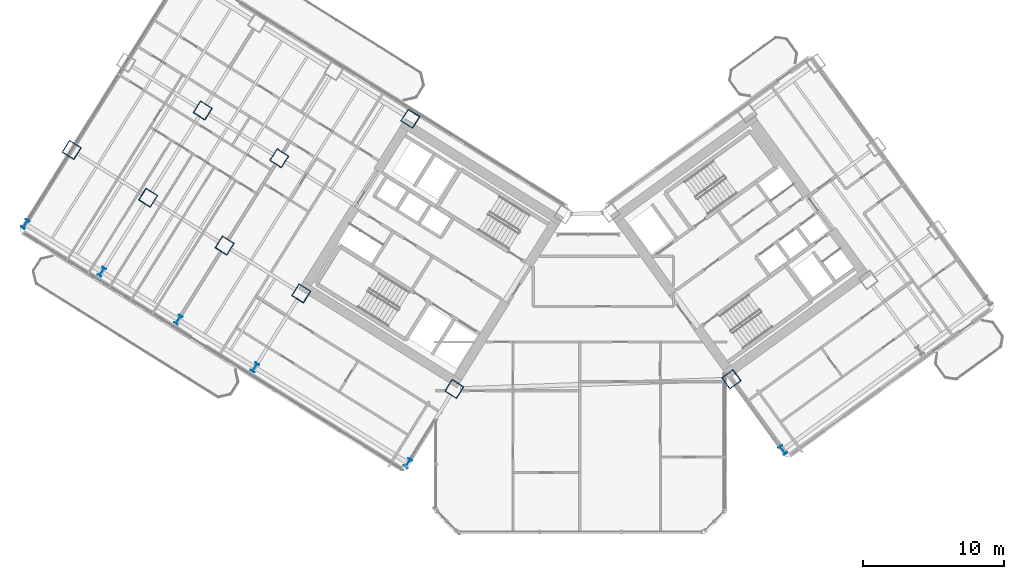
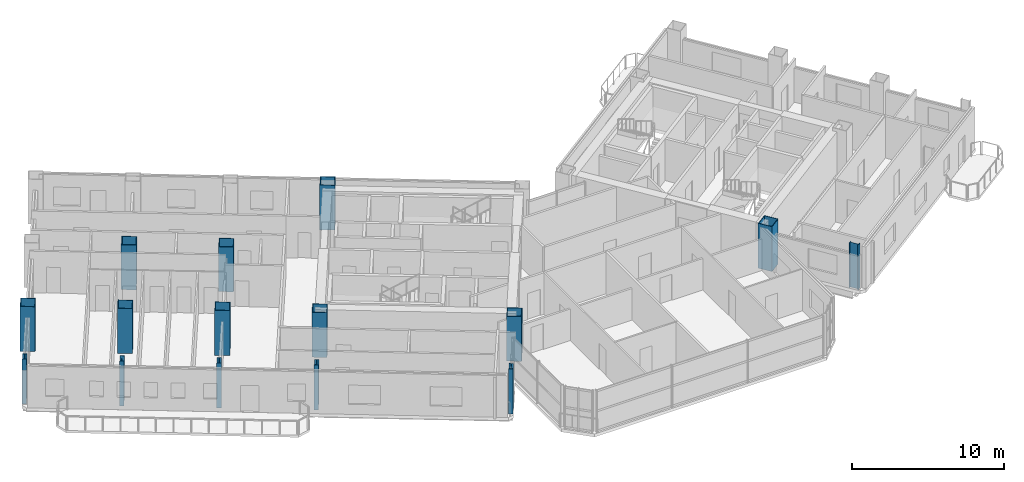
# One storey, part 1 of 28: 15 columns.
"""IFC4 building model written with IfcOpenShell, lengths in metres."""

import ifcopenshell
import ifcopenshell.guid

model = None  # the IFC model being written
_history = None  # IfcOwnerHistory: only IFC2X3 demands one
_inside = {}  # id of a spatial element -> (the spatial element, [elements in it])
_under = {}  # id of a project, library or spatial element -> (it, [spatial elements below it])
_declared = {}  # id of a project -> (the project, [libraries it declares])
_typed = {}  # id of a type object -> (the type object, [elements of that type])
_made_of = {}  # id of a material, layer set ... -> (it, [elements and type objects made of it])


def new_model(schema):
    """Start an empty IFC model of exactly this schema.

    Asked for "IFC4X3", IfcOpenShell would pick the latest addendum, in which some entities
    have other attributes; the version numbers below select the first issue.
    IFC2X3 requires an IfcOwnerHistory on every rooted entity: one is made here for all.
    """
    global model, _history
    if schema == "IFC4X3":
        model = ifcopenshell.file(schema_version=(4, 3, 0, 0))
    else:
        model = ifcopenshell.file(schema=schema)
    _inside.clear()
    _under.clear()
    _declared.clear()
    _typed.clear()
    _made_of.clear()
    _history = None
    if model.schema == "IFC2X3":
        org = make("IfcOrganization", Name="unknown")
        user = make(
            "IfcPersonAndOrganization",
            ThePerson=make("IfcPerson", FamilyName="unknown"),
            TheOrganization=org,
        )
        app = make(
            "IfcApplication",
            ApplicationDeveloper=org,
            Version="unknown",
            ApplicationFullName="unknown",
            ApplicationIdentifier="unknown",
        )
        _history = make(
            "IfcOwnerHistory",
            OwningUser=user,
            OwningApplication=app,
            ChangeAction="ADDED",
            CreationDate=0,
        )
    return model


def make(cls, **values):
    """One entity of the class cls with the attributes given. An attribute that is None is left unset."""
    return model.create_entity(
        cls, **{name: value for name, value in values.items() if value is not None}
    )


def rooted(cls, **values):
    """An entity with a GlobalId (a new one), such as an element, a storey or a relation."""
    return make(cls, GlobalId=ifcopenshell.guid.new(), OwnerHistory=_history, **values)


def si_unit(unit_type, name, prefix=None):
    """IfcSIUnit, for example si_unit("LENGTHUNIT", "METRE", prefix="MILLI")."""
    return make("IfcSIUnit", UnitType=unit_type, Prefix=prefix, Name=name)


def assignment(units):
    """IfcUnitAssignment: the units of a project."""
    return None if units is None else make("IfcUnitAssignment", Units=units)


def point(xyz):
    """IfcCartesianPoint."""
    return None if xyz is None else make("IfcCartesianPoint", Coordinates=xyz)


def direction(xyz):
    """IfcDirection."""
    return None if xyz is None else make("IfcDirection", DirectionRatios=xyz)


def frame(location, z_axis=None, x_axis=None):
    """IfcAxis2Placement3D, a coordinate frame: its origin and axes. An axis left out is left unset."""
    return make(
        "IfcAxis2Placement3D",
        Location=point(location),
        Axis=direction(z_axis),
        RefDirection=direction(x_axis),
    )


def frame_2d(location, x_axis=None):
    """IfcAxis2Placement2D, a coordinate frame in the plane: its origin and x axis."""
    return make(
        "IfcAxis2Placement2D", Location=point(location), RefDirection=direction(x_axis)
    )


def origin():
    """The frame at (0, 0, 0) with its axes left unset."""
    return frame((0.0, 0.0, 0.0))


def origin_2d():
    """The frame at (0, 0) in the plane with its x axis left unset."""
    return frame_2d((0.0, 0.0))


def place(relative_to, where):
    """IfcLocalPlacement: puts the frame where relative to a parent placement (None: the world)."""
    return make(
        "IfcLocalPlacement", PlacementRelTo=relative_to, RelativePlacement=where
    )


def context(
    kind, dimensions, precision=None, world=None, true_north=None, identifier=None
):
    """IfcGeometricRepresentationContext, for example the 3D "Model" context."""
    return make(
        "IfcGeometricRepresentationContext",
        ContextIdentifier=identifier,
        ContextType=kind,
        CoordinateSpaceDimension=dimensions,
        Precision=precision,
        WorldCoordinateSystem=world,
        TrueNorth=true_north,
    )


def subcontext(parent, identifier, kind, view, scale=None):
    """IfcGeometricRepresentationSubContext, for example "Body" below "Model"."""
    return make(
        "IfcGeometricRepresentationSubContext",
        ContextIdentifier=identifier,
        ContextType=kind,
        ParentContext=parent,
        TargetScale=scale,
        TargetView=view,
    )


def project(units=None, contexts=None):
    """IfcProject with its units and contexts."""
    return rooted(
        "IfcProject",
        Name="project",
        RepresentationContexts=contexts,
        UnitsInContext=assignment(units),
    )


def spatial(cls, under=None, at=None, **own):
    """A site, building, storey or space (cls), placed at a placement, below another one or the project."""
    s = rooted(cls, ObjectPlacement=at, **own)
    if under is not None:
        _under.setdefault(under.id(), (under, []))[1].append(s)
    return s


def profile(cls, at=None, kind="AREA", **sizes):
    """A parametric profile (cls). Its sizes go by their IFC names, for example OverallWidth=200.0."""
    return make(cls, ProfileType=kind, Position=at, **sizes)


def hollow_rectangle(**sizes):
    """IfcRectangleHollowProfileDef."""
    return profile("IfcRectangleHollowProfileDef", **sizes)


def i_section(**sizes):
    """IfcIShapeProfileDef."""
    return profile("IfcIShapeProfileDef", **sizes)


def extrude(swept, where, along, depth):
    """IfcExtrudedAreaSolid: the profile swept, set in the frame where, extruded along a direction by depth."""
    return make(
        "IfcExtrudedAreaSolid",
        SweptArea=swept,
        Position=where,
        ExtrudedDirection=direction(along),
        Depth=depth,
    )


def shape(context_of_items, identifier, shape_type, items):
    """IfcShapeRepresentation: the items that make up one representation, for example the "Body"."""
    return make(
        "IfcShapeRepresentation",
        ContextOfItems=context_of_items,
        RepresentationIdentifier=identifier,
        RepresentationType=shape_type,
        Items=items,
    )


def source(mapping_origin, context_of_items, identifier, shape_type, items):
    """IfcRepresentationMap: a shape defined once, which mapped items show again and again."""
    return make(
        "IfcRepresentationMap",
        MappingOrigin=mapping_origin,
        MappedRepresentation=shape(context_of_items, identifier, shape_type, items),
    )


def transform(
    local_origin,
    x_axis=None,
    y_axis=None,
    z_axis=None,
    scale=None,
    scale2=None,
    scale3=None,
    uniform=True,
):
    """IfcCartesianTransformationOperator3D, or its non-uniform kind. x_axis, y_axis, z_axis: its Axis1, 2, 3."""
    if uniform:
        return make(
            "IfcCartesianTransformationOperator3D",
            Axis1=direction(x_axis),
            Axis2=direction(y_axis),
            LocalOrigin=point(local_origin),
            Scale=scale,
            Axis3=direction(z_axis),
        )
    return make(
        "IfcCartesianTransformationOperator3DnonUniform",
        Axis1=direction(x_axis),
        Axis2=direction(y_axis),
        LocalOrigin=point(local_origin),
        Scale=scale,
        Axis3=direction(z_axis),
        Scale2=scale2,
        Scale3=scale3,
    )


def mapped(mapping_source, mapping_target):
    """IfcMappedItem: shows the shape of a source again, moved by a transform."""
    return make(
        "IfcMappedItem", MappingSource=mapping_source, MappingTarget=mapping_target
    )


def material(Name=None, Category=None):
    """IfcMaterial."""
    return make("IfcMaterial", Name=Name, Category=Category)


def material_profile(
    of_material, cross_section, Name=None, Category=None, Priority=None
):
    """IfcMaterialProfile: a cross section and its material."""
    return make(
        "IfcMaterialProfile",
        Name=Name,
        Material=of_material,
        Profile=cross_section,
        Priority=Priority,
        Category=Category,
    )


def profile_set(profiles, Name=None, composite=None):
    """IfcMaterialProfileSet."""
    return make(
        "IfcMaterialProfileSet",
        Name=Name,
        MaterialProfiles=profiles,
        CompositeProfile=composite,
    )


def made_of(thing, what):
    """Note that an element or type object is made of a material, layer set ...; save() writes the relation."""
    if what is not None:
        _made_of.setdefault(what.id(), (what, []))[1].append(thing)
    return thing


def type_object(cls, material=None, **own):
    """A type object (cls), such as IfcWallType, which elements share."""
    return made_of(rooted(cls, **own), material)


def element(
    cls,
    number,
    at=None,
    inside=None,
    cuts=None,
    type_object=None,
    material=None,
    context=None,
    identifier="Body",
    shape_type=None,
    held_by="IfcProductDefinitionShape",
    body=None,
    shapes=None,
    **own,
):
    """One element of the class cls, such as IfcWall. Its Tag is "e" and its number.

    at: its placement. inside: the storey or other place that contains it. cuts: it is an
    opening in that element (IfcRelVoidsElement). A single representation is given by context,
    identifier, shape_type and body (its items); several are given by shapes. held_by: the class
    of the entity that holds the representations. save() writes the other relations.
    """
    e = rooted(cls, Tag="e%d" % number, ObjectPlacement=at, **own)
    if body is not None:
        shapes = [shape(context, identifier, shape_type, body)]
    if shapes is not None:
        e.Representation = make(held_by, Representations=shapes)
    if inside is not None:
        _inside.setdefault(inside.id(), (inside, []))[1].append(e)
    if cuts is not None:
        rooted(
            "IfcRelVoidsElement", RelatingBuildingElement=cuts, RelatedOpeningElement=e
        )
    if type_object is not None:
        _typed.setdefault(type_object.id(), (type_object, []))[1].append(e)
    return made_of(e, material)


def aggregate(whole, parts):
    """IfcRelAggregates: a whole, such as a stair, and the parts it consists of."""
    return rooted("IfcRelAggregates", RelatingObject=whole, RelatedObjects=parts)


def save(model, path):
    """Write the relations noted so far, then the file.

    IfcRelAggregates (storeys below a building ...), IfcRelContainedInSpatialStructure (elements
    in a storey), IfcRelDefinesByType, IfcRelAssociatesMaterial and IfcRelDeclares: one each for
    every whole, place, type object, material and project.
    """
    for whole, parts in _under.values():
        aggregate(whole, parts)
    for where, things in _inside.values():
        rooted(
            "IfcRelContainedInSpatialStructure",
            RelatedElements=things,
            RelatingStructure=where,
        )
    for kind, things in _typed.values():
        rooted("IfcRelDefinesByType", RelatedObjects=things, RelatingType=kind)
    for what, things in _made_of.values():
        rooted("IfcRelAssociatesMaterial", RelatedObjects=things, RelatingMaterial=what)
    for by, libraries in _declared.values():
        rooted("IfcRelDeclares", RelatingContext=by, RelatedDefinitions=libraries)
    model.write(path)


model = new_model("IFC4")

# Units and contexts
model_context = context("Model", 3, precision=1e-05, world=origin(), true_north=direction((0.0, 1.0)))
body_context = subcontext(model_context, "Body", "Model", "MODEL_VIEW")
ifc_project = project(units=[si_unit("LENGTHUNIT", "METRE"), si_unit("AREAUNIT", "SQUARE_METRE"), si_unit("VOLUMEUNIT", "CUBIC_METRE"), si_unit("PLANEANGLEUNIT", "RADIAN"), si_unit("MASSUNIT", "GRAM", prefix="KILO")], contexts=[model_context])

# Site, building, storey
site_placement = place(None, origin())
site = spatial("IfcSite", under=ifc_project, at=site_placement, CompositionType="ELEMENT")
building_placement = place(site_placement, origin())
building = spatial("IfcBuilding", under=site, at=building_placement, Name="Tlacorven Tower", CompositionType="ELEMENT")
storey_placement = place(building_placement, frame((0.0, 0.0, 27.60009765625)))
storey = spatial("IfcBuildingStorey", under=building, at=storey_placement, Name="L06", CompositionType="ELEMENT", Elevation=27.60009765625)

# Columns
ifc_material = material(Name="Steel S460M", Category="steel")
ifc_material_profile_1 = material_profile(ifc_material, hollow_rectangle(XDim=1.0, YDim=1.0, WallThickness=0.0400390625, at=origin_2d()), Name="BOX 1000X1000X40")
ifc_profile_set_1 = profile_set([ifc_material_profile_1], Name="Steel S460M")
column_type_1 = type_object("IfcColumnType", Name="COL-TWR-S1", PredefinedType="COLUMN", material=ifc_profile_set_1)
shared_shape_1 = source(origin(), body_context, "Body", "SweptSolid", [
    extrude(hollow_rectangle(XDim=1.0, YDim=1.0, WallThickness=0.0400390625, at=origin_2d()), origin(), (0.0, 0.0, 1.0), 3.599853515625),
])
for number, where, z_axis, x_axis, name in (
    (1, (33.046142578125, 12.0869140625, 0.0), (0.0, 0.0, 1.0), (-0.848048096156, 0.529919264233, 0.0), "L06 column COL-L06-W1-3"),
    (2, (29.927978515625, 31.25146484375, 0.0), (0.0, 0.0, 1.0), (-0.848048096156, 0.529919264233, 0.0), "L06 column COL-L06-W3-1"),
    (3, (22.191162109375, 18.869873046875, 0.0), (0.0, 0.0, 1.0), (-0.848048096156, 0.529919264233, 0.0), "L06 column COL-L06-W3-3"),
    (4, (20.632080078125, 28.4521484375, 0.0), (0.0, 0.0, 1.0), (-0.848048096156, 0.529919264233, 0.0), "L06 column COL-L06-W4-2"),
    (5, (16.763671875, 22.26123046875, 0.0), (0.0, 0.0, 1.0), (-0.848048096156, 0.529919264233, 0.0), "L06 column COL-L06-W4-3"),
    (6, (15.20458984375, 31.843505859375, 0.0), (0.0, 0.0, 1.0), (-0.848048096156, 0.529919264233, 0.0), "L06 column COL-L06-W5-2"),
    (7, (11.336181640625, 25.65283203125, 0.0), (0.0, 0.0, 1.0), (-0.848048096156, 0.529919264233, 0.0), "L06 column COL-L06-W5-3"),
    (8, (5.90869140625, 29.044189453125, 0.0), (0.0, 0.0, 1.0), (-0.848048096156, 0.529919264233, 0.0), "L06 column COL-L06-W6-3"),
    (9, (52.705322265625, 12.7734375, 0.0), (0.0, 0.0, 1.0), (0.809016994375, 0.587785252292, 0.0), "L06 column COL-L06-E1-2"),
):
    element("IfcColumn", number, at=place(storey_placement, frame(where, z_axis=z_axis, x_axis=x_axis)), inside=storey, type_object=column_type_1, Name=name, PredefinedType="COLUMN", context=body_context, shape_type="MappedRepresentation", body=[
        mapped(shared_shape_1, transform((0.0, 0.0, 0.0), scale=1.0)),
    ])
ifc_material_profile_2 = material_profile(ifc_material, i_section(OverallWidth=0.300048828125, OverallDepth=0.64990234375, WebThickness=0.01611328125, FlangeThickness=0.031005859375, at=origin_2d()), Name="HEB 650")
ifc_profile_set_2 = profile_set([ifc_material_profile_2], Name="Steel S460M")
column_type_2 = type_object("IfcColumnType", Name="COL-TWR-P1", PredefinedType="COLUMN", material=ifc_profile_set_2)
shared_shape_2 = source(origin(), body_context, "Body", "SweptSolid", [
    extrude(i_section(OverallWidth=0.300048828125, OverallDepth=0.64990234375, WebThickness=0.01611328125, FlangeThickness=0.031005859375, at=origin_2d()), origin(), (0.0, 0.0, 1.0), 3.599853515625),
])
for number, where, z_axis, x_axis, name in (
    (10, (29.7607421875, 6.8291015625, 0.0), (0.0, 0.0, 1.0), (-0.848048096156, 0.529919264233, 0.0), "L06 column COL-L06-W1-4"),
    (11, (18.905517578125, 13.612060546875, 0.0), (0.0, 0.0, 1.0), (-0.848048096156, 0.529919264233, 0.0), "L06 column COL-L06-W3-4"),
    (12, (13.47802734375, 17.00341796875, 0.0), (0.0, 0.0, 1.0), (-0.848048096156, 0.529919264233, 0.0), "L06 column COL-L06-W4-4"),
    (13, (8.050537109375, 20.39501953125, 0.0), (0.0, 0.0, 1.0), (-0.848048096156, 0.529919264233, 0.0), "L06 column COL-L06-W5-4"),
    (14, (2.623046875, 23.786376953125, 0.0), (0.0, 0.0, 1.0), (-0.848048096156, 0.529919264233, 0.0), "L06 column COL-L06-W6-4"),
    (15, (56.349609375, 7.757568359375, 0.0), (0.0, 0.0, 1.0), (0.809016994375, 0.587785252292, 0.0), "L06 column COL-L06-E1-1"),
):
    element("IfcColumn", number, at=place(storey_placement, frame(where, z_axis=z_axis, x_axis=x_axis)), inside=storey, type_object=column_type_2, Name=name, PredefinedType="COLUMN", context=body_context, shape_type="MappedRepresentation", body=[
        mapped(shared_shape_2, transform((0.0, 0.0, 0.0), scale=1.0)),
    ])

save(model, "model.ifc")
